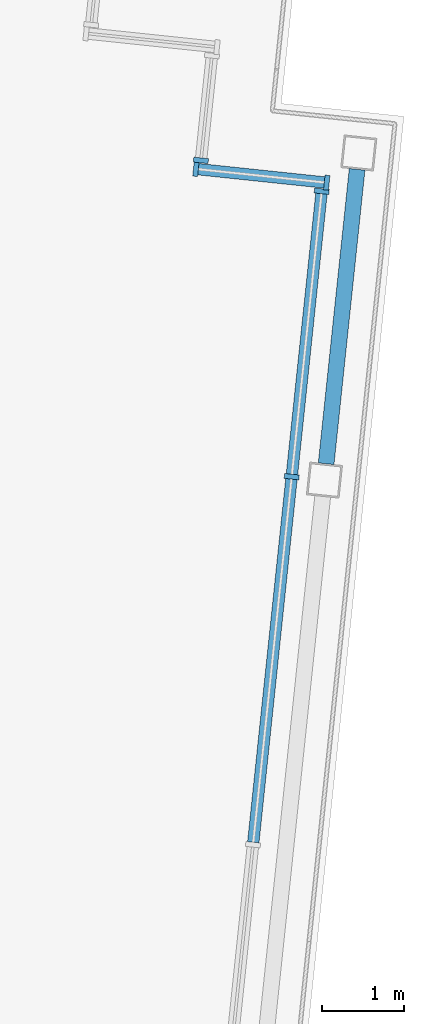
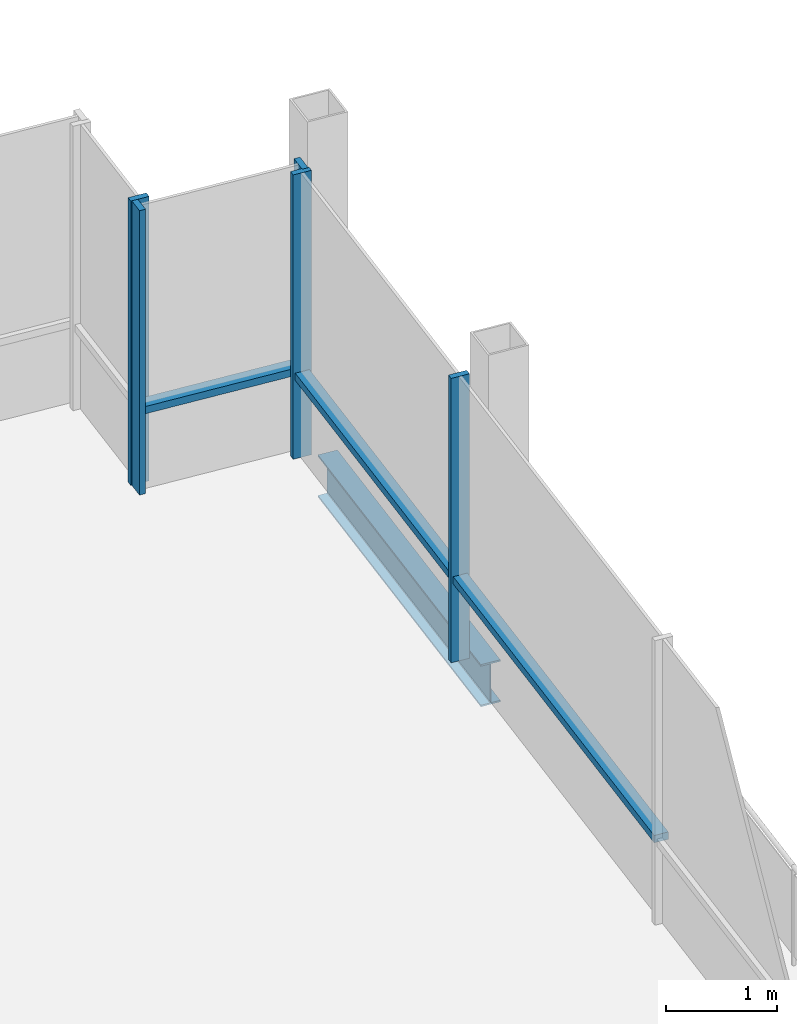
# One storey, part 6 of 15: 8 members, 1 beam, 3 elements without a shape of their own.
"""IFC4 building model written with IfcOpenShell, lengths in metres."""

import ifcopenshell
import ifcopenshell.guid

model = None  # the IFC model being written
_history = None  # IfcOwnerHistory: only IFC2X3 demands one
_inside = {}  # id of a spatial element -> (the spatial element, [elements in it])
_under = {}  # id of a project, library or spatial element -> (it, [spatial elements below it])
_declared = {}  # id of a project -> (the project, [libraries it declares])
_typed = {}  # id of a type object -> (the type object, [elements of that type])
_made_of = {}  # id of a material, layer set ... -> (it, [elements and type objects made of it])


def new_model(schema):
    """Start an empty IFC model of exactly this schema.

    Asked for "IFC4X3", IfcOpenShell would pick the latest addendum, in which some entities
    have other attributes; the version numbers below select the first issue.
    IFC2X3 requires an IfcOwnerHistory on every rooted entity: one is made here for all.
    """
    global model, _history
    if schema == "IFC4X3":
        model = ifcopenshell.file(schema_version=(4, 3, 0, 0))
    else:
        model = ifcopenshell.file(schema=schema)
    _inside.clear()
    _under.clear()
    _declared.clear()
    _typed.clear()
    _made_of.clear()
    _history = None
    if model.schema == "IFC2X3":
        org = make("IfcOrganization", Name="unknown")
        user = make(
            "IfcPersonAndOrganization",
            ThePerson=make("IfcPerson", FamilyName="unknown"),
            TheOrganization=org,
        )
        app = make(
            "IfcApplication",
            ApplicationDeveloper=org,
            Version="unknown",
            ApplicationFullName="unknown",
            ApplicationIdentifier="unknown",
        )
        _history = make(
            "IfcOwnerHistory",
            OwningUser=user,
            OwningApplication=app,
            ChangeAction="ADDED",
            CreationDate=0,
        )
    return model


def make(cls, **values):
    """One entity of the class cls with the attributes given. An attribute that is None is left unset."""
    return model.create_entity(
        cls, **{name: value for name, value in values.items() if value is not None}
    )


def rooted(cls, **values):
    """An entity with a GlobalId (a new one), such as an element, a storey or a relation."""
    return make(cls, GlobalId=ifcopenshell.guid.new(), OwnerHistory=_history, **values)


def si_unit(unit_type, name, prefix=None):
    """IfcSIUnit, for example si_unit("LENGTHUNIT", "METRE", prefix="MILLI")."""
    return make("IfcSIUnit", UnitType=unit_type, Prefix=prefix, Name=name)


def assignment(units):
    """IfcUnitAssignment: the units of a project."""
    return None if units is None else make("IfcUnitAssignment", Units=units)


def point(xyz):
    """IfcCartesianPoint."""
    return None if xyz is None else make("IfcCartesianPoint", Coordinates=xyz)


def direction(xyz):
    """IfcDirection."""
    return None if xyz is None else make("IfcDirection", DirectionRatios=xyz)


def frame(location, z_axis=None, x_axis=None):
    """IfcAxis2Placement3D, a coordinate frame: its origin and axes. An axis left out is left unset."""
    return make(
        "IfcAxis2Placement3D",
        Location=point(location),
        Axis=direction(z_axis),
        RefDirection=direction(x_axis),
    )


def frame_2d(location, x_axis=None):
    """IfcAxis2Placement2D, a coordinate frame in the plane: its origin and x axis."""
    return make(
        "IfcAxis2Placement2D", Location=point(location), RefDirection=direction(x_axis)
    )


def origin():
    """The frame at (0, 0, 0) with its axes left unset."""
    return frame((0.0, 0.0, 0.0))


def origin_2d():
    """The frame at (0, 0) in the plane with its x axis left unset."""
    return frame_2d((0.0, 0.0))


def place(relative_to, where):
    """IfcLocalPlacement: puts the frame where relative to a parent placement (None: the world)."""
    return make(
        "IfcLocalPlacement", PlacementRelTo=relative_to, RelativePlacement=where
    )


def context(
    kind, dimensions, precision=None, world=None, true_north=None, identifier=None
):
    """IfcGeometricRepresentationContext, for example the 3D "Model" context."""
    return make(
        "IfcGeometricRepresentationContext",
        ContextIdentifier=identifier,
        ContextType=kind,
        CoordinateSpaceDimension=dimensions,
        Precision=precision,
        WorldCoordinateSystem=world,
        TrueNorth=true_north,
    )


def subcontext(parent, identifier, kind, view, scale=None):
    """IfcGeometricRepresentationSubContext, for example "Body" below "Model"."""
    return make(
        "IfcGeometricRepresentationSubContext",
        ContextIdentifier=identifier,
        ContextType=kind,
        ParentContext=parent,
        TargetScale=scale,
        TargetView=view,
    )


def project(units=None, contexts=None):
    """IfcProject with its units and contexts."""
    return rooted(
        "IfcProject",
        Name="project",
        RepresentationContexts=contexts,
        UnitsInContext=assignment(units),
    )


def spatial(cls, under=None, at=None, **own):
    """A site, building, storey or space (cls), placed at a placement, below another one or the project."""
    s = rooted(cls, ObjectPlacement=at, **own)
    if under is not None:
        _under.setdefault(under.id(), (under, []))[1].append(s)
    return s


def profile(cls, at=None, kind="AREA", **sizes):
    """A parametric profile (cls). Its sizes go by their IFC names, for example OverallWidth=200.0."""
    return make(cls, ProfileType=kind, Position=at, **sizes)


def rectangle(**sizes):
    """IfcRectangleProfileDef."""
    return profile("IfcRectangleProfileDef", **sizes)


def i_section(**sizes):
    """IfcIShapeProfileDef."""
    return profile("IfcIShapeProfileDef", **sizes)


def extrude(swept, where, along, depth):
    """IfcExtrudedAreaSolid: the profile swept, set in the frame where, extruded along a direction by depth."""
    return make(
        "IfcExtrudedAreaSolid",
        SweptArea=swept,
        Position=where,
        ExtrudedDirection=direction(along),
        Depth=depth,
    )


def shape(context_of_items, identifier, shape_type, items):
    """IfcShapeRepresentation: the items that make up one representation, for example the "Body"."""
    return make(
        "IfcShapeRepresentation",
        ContextOfItems=context_of_items,
        RepresentationIdentifier=identifier,
        RepresentationType=shape_type,
        Items=items,
    )


def material(Name=None, Category=None):
    """IfcMaterial."""
    return make("IfcMaterial", Name=Name, Category=Category)


def material_profile(
    of_material, cross_section, Name=None, Category=None, Priority=None
):
    """IfcMaterialProfile: a cross section and its material."""
    return make(
        "IfcMaterialProfile",
        Name=Name,
        Material=of_material,
        Profile=cross_section,
        Priority=Priority,
        Category=Category,
    )


def profile_set(profiles, Name=None, composite=None):
    """IfcMaterialProfileSet."""
    return make(
        "IfcMaterialProfileSet",
        Name=Name,
        MaterialProfiles=profiles,
        CompositeProfile=composite,
    )


def made_of(thing, what):
    """Note that an element or type object is made of a material, layer set ...; save() writes the relation."""
    if what is not None:
        _made_of.setdefault(what.id(), (what, []))[1].append(thing)
    return thing


def type_object(cls, material=None, **own):
    """A type object (cls), such as IfcWallType, which elements share."""
    return made_of(rooted(cls, **own), material)


def element(
    cls,
    number,
    at=None,
    inside=None,
    cuts=None,
    type_object=None,
    material=None,
    context=None,
    identifier="Body",
    shape_type=None,
    held_by="IfcProductDefinitionShape",
    body=None,
    shapes=None,
    **own,
):
    """One element of the class cls, such as IfcWall. Its Tag is "e" and its number.

    at: its placement. inside: the storey or other place that contains it. cuts: it is an
    opening in that element (IfcRelVoidsElement). A single representation is given by context,
    identifier, shape_type and body (its items); several are given by shapes. held_by: the class
    of the entity that holds the representations. save() writes the other relations.
    """
    e = rooted(cls, Tag="e%d" % number, ObjectPlacement=at, **own)
    if body is not None:
        shapes = [shape(context, identifier, shape_type, body)]
    if shapes is not None:
        e.Representation = make(held_by, Representations=shapes)
    if inside is not None:
        _inside.setdefault(inside.id(), (inside, []))[1].append(e)
    if cuts is not None:
        rooted(
            "IfcRelVoidsElement", RelatingBuildingElement=cuts, RelatedOpeningElement=e
        )
    if type_object is not None:
        _typed.setdefault(type_object.id(), (type_object, []))[1].append(e)
    return made_of(e, material)


def aggregate(whole, parts):
    """IfcRelAggregates: a whole, such as a stair, and the parts it consists of."""
    return rooted("IfcRelAggregates", RelatingObject=whole, RelatedObjects=parts)


def save(model, path):
    """Write the relations noted so far, then the file.

    IfcRelAggregates (storeys below a building ...), IfcRelContainedInSpatialStructure (elements
    in a storey), IfcRelDefinesByType, IfcRelAssociatesMaterial and IfcRelDeclares: one each for
    every whole, place, type object, material and project.
    """
    for whole, parts in _under.values():
        aggregate(whole, parts)
    for where, things in _inside.values():
        rooted(
            "IfcRelContainedInSpatialStructure",
            RelatedElements=things,
            RelatingStructure=where,
        )
    for kind, things in _typed.values():
        rooted("IfcRelDefinesByType", RelatedObjects=things, RelatingType=kind)
    for what, things in _made_of.values():
        rooted("IfcRelAssociatesMaterial", RelatedObjects=things, RelatingMaterial=what)
    for by, libraries in _declared.values():
        rooted("IfcRelDeclares", RelatingContext=by, RelatedDefinitions=libraries)
    model.write(path)


model = new_model("IFC4")

# Units and contexts
model_context = context("Model", 3, precision=1e-05, world=origin(), true_north=direction((0.0, 1.0)))
body_context = subcontext(model_context, "Body", "Model", "MODEL_VIEW")
ifc_project = project(units=[si_unit("LENGTHUNIT", "METRE"), si_unit("AREAUNIT", "SQUARE_METRE"), si_unit("VOLUMEUNIT", "CUBIC_METRE"), si_unit("PLANEANGLEUNIT", "RADIAN"), si_unit("MASSUNIT", "GRAM", prefix="KILO")], contexts=[model_context])

# Site, building, storey
site_placement = place(None, origin())
site = spatial("IfcSite", under=ifc_project, at=site_placement, CompositionType="ELEMENT")
building_placement = place(site_placement, origin())
building = spatial("IfcBuilding", under=site, at=building_placement, Name="Vidyagriha Tower", CompositionType="ELEMENT")
storey_placement = place(building_placement, frame((0.0, 0.0, 294.89990234375)))
storey = spatial("IfcBuildingStorey", under=building, at=storey_placement, Name="L76", CompositionType="ELEMENT", Elevation=294.89990234375)

# Beam
ifc_material_1 = material(Name="Steel ASTM A992 Grade 50", Category="steel")
ifc_material_profile_1 = material_profile(ifc_material_1, i_section(OverallWidth=0.19189453125, OverallDepth=0.46240234375, WebThickness=0.010498046875, FlangeThickness=0.017578125, at=origin_2d()), Name="W18X60")
ifc_profile_set_1 = profile_set([ifc_material_profile_1], Name="Steel ASTM A992 Grade 50")
beam_type = type_object("IfcBeamType", Name="Edge beam W18X60", PredefinedType="SPANDREL", material=ifc_profile_set_1)
beam_placement = place(storey_placement, frame((32.429443359375, 9.623779296875, -0.510986328125), z_axis=(0.104571819597, 0.994517337479, 0.0), x_axis=(-0.994517337479, 0.104571819597, 0.0)))
element("IfcBeam", 1, at=beam_placement, inside=storey, type_object=beam_type, Name="st-beam-L76-E17", PredefinedType="SPANDREL", context=body_context, shape_type="SweptSolid", body=[
    extrude(i_section(OverallWidth=0.19189453125, OverallDepth=0.46240234375, WebThickness=0.010498046875, FlangeThickness=0.017578125, at=origin_2d()), origin(), (0.0, 0.0, 1.0), 3.60009765625),
])

# Curtain wall, members
ifc_material_2 = material(Name="Aluminium and glass curtain wall", Category="aluminium")
curtain_wall_type = type_object("IfcCurtainWallType", Name="Lantern glazing wall", PredefinedType="USERDEFINED", material=ifc_material_2)
curtain_wall_1_placement = place(storey_placement, origin())
curtain_wall_1 = element("IfcCurtainWall", 2, at=curtain_wall_1_placement, inside=storey, type_object=curtain_wall_type, Name="CW4 lantern glazing", ObjectType="STICK GLAZING", PredefinedType="USERDEFINED")
ifc_material_3 = material(Name="Aluminium black anodised", Category="aluminium")
ifc_material_profile_2 = material_profile(ifc_material_3, rectangle(XDim=0.179931640625, YDim=0.06005859375, at=origin_2d()), Name="Mullion 60x180 black aluminium")
ifc_profile_set_2 = profile_set([ifc_material_profile_2], Name="Aluminium black anodised")
member_type_1 = type_object("IfcMemberType", Name="Mullion 60x180 black aluminium", PredefinedType="MULLION", material=ifc_profile_set_2)
member_1_placement = place(storey_placement, frame((32.436767578125, 13.041748046875, 0.0), z_axis=(0.0, 0.0, 1.0), x_axis=(-0.104465258184, -0.99452853646, 0.0)))
member_1 = element("IfcMember", 3, at=member_1_placement, type_object=member_type_1, Name="CW4 mullion 1", PredefinedType="MULLION", context=body_context, shape_type="SweptSolid", body=[
    extrude(rectangle(XDim=0.179931640625, YDim=0.06005859375, at=origin_2d()), origin(), (0.0, 0.0, 1.0), 3.1201171875),
])
member_2_placement = place(storey_placement, frame((30.845703125, 13.208740234375, 0.0), z_axis=(0.0, 0.0, 1.0), x_axis=(-0.104465258184, -0.99452853646, 0.0)))
member_2 = element("IfcMember", 4, at=member_2_placement, type_object=member_type_1, Name="CW4 mullion 2", PredefinedType="MULLION", context=body_context, shape_type="SweptSolid", body=[
    extrude(rectangle(XDim=0.179931640625, YDim=0.06005859375, at=origin_2d()), origin(), (0.0, 0.0, 1.0), 3.1201171875),
])

# Curtain wall, member
curtain_wall_2_placement = place(storey_placement, origin())
curtain_wall_2 = element("IfcCurtainWall", 5, at=curtain_wall_2_placement, inside=storey, type_object=curtain_wall_type, Name="CW4 lantern glazing", ObjectType="STICK GLAZING", PredefinedType="USERDEFINED")
member_3_placement = place(storey_placement, frame((30.906982421875, 13.31298828125, 0.0), z_axis=(0.0, 0.0, 1.0), x_axis=(-0.994527511623, 0.104475014354, 0.0)))
member_3 = element("IfcMember", 6, at=member_3_placement, type_object=member_type_1, Name="CW4 mullion 1", PredefinedType="MULLION", context=body_context, shape_type="SweptSolid", body=[
    extrude(rectangle(XDim=0.179931640625, YDim=0.06005859375, at=origin_2d()), origin(), (0.0, 0.0, 1.0), 3.1201171875),
])
aggregate(curtain_wall_2, [member_3])

# Curtain wall, members
curtain_wall_3_placement = place(storey_placement, origin())
curtain_wall_3 = element("IfcCurtainWall", 7, at=curtain_wall_3_placement, inside=storey, type_object=curtain_wall_type, Name="CW4 lantern glazing", ObjectType="STICK GLAZING", PredefinedType="USERDEFINED")
member_4_placement = place(storey_placement, frame((32.0107421875, 9.466552734375, 0.0), z_axis=(0.0, 0.0, 1.0), x_axis=(-0.994522059728, 0.104526899479, 0.0)))
member_4 = element("IfcMember", 8, at=member_4_placement, type_object=member_type_1, Name="CW4 mullion 6", PredefinedType="MULLION", context=body_context, shape_type="SweptSolid", body=[
    extrude(rectangle(XDim=0.179931640625, YDim=0.06005859375, at=origin_2d()), origin(), (0.0, 0.0, 1.0), 3.1201171875),
])
member_5_placement = place(storey_placement, frame((32.37548828125, 12.9375, 0.0), z_axis=(0.0, 0.0, 1.0), x_axis=(-0.994522059728, 0.104526899479, 0.0)))
member_5 = element("IfcMember", 9, at=member_5_placement, type_object=member_type_1, Name="CW4 mullion 7", PredefinedType="MULLION", context=body_context, shape_type="SweptSolid", body=[
    extrude(rectangle(XDim=0.179931640625, YDim=0.06005859375, at=origin_2d()), origin(), (0.0, 0.0, 1.0), 3.1201171875),
])

# Member
ifc_material_4 = material(Name="Aluminium black anodised", Category="aluminium")
ifc_material_profile_3 = material_profile(ifc_material_4, rectangle(XDim=0.139892578125, YDim=0.080078125, at=origin_2d()), Name="Transom 80x140 black aluminium")
ifc_profile_set_3 = profile_set([ifc_material_profile_3], Name="Aluminium black anodised")
member_type_2 = type_object("IfcMemberType", Name="Transom 80x140 black aluminium", PredefinedType="USERDEFINED", material=ifc_profile_set_3)
member_6_placement = place(storey_placement, frame((32.406982421875, 13.044677734375, 0.900146484375), z_axis=(-0.994527149453, 0.104478461899, 0.0), x_axis=(-0.104478461899, -0.994527149453, 0.0)))
member_6 = element("IfcMember", 10, at=member_6_placement, type_object=member_type_2, Name="CW4 transom 1.1", ObjectType="TRANSOM", PredefinedType="USERDEFINED", context=body_context, shape_type="SweptSolid", body=[
    extrude(rectangle(XDim=0.139892578125, YDim=0.080078125, at=origin_2d()), origin(), (0.0, 0.0, 1.0), 1.5400390625),
])

aggregate(curtain_wall_1, [member_1, member_2, member_6])

member_7_placement = place(storey_placement, frame((31.54345703125, 5.02099609375, 0.900146484375), z_axis=(0.104527359082, 0.994522011422, 0.0), x_axis=(-0.994522011422, 0.104527359082, 0.0)))
member_7 = element("IfcMember", 11, at=member_7_placement, type_object=member_type_2, Name="CW4 transom 5.1", ObjectType="TRANSOM", PredefinedType="USERDEFINED", context=body_context, shape_type="SweptSolid", body=[
    extrude(rectangle(XDim=0.139892578125, YDim=0.080078125, at=origin_2d()), origin(), (0.0, 0.0, 1.0), 4.440185546875),
])

member_8_placement = place(storey_placement, frame((32.013916015625, 9.496337890625, 0.900146484375), z_axis=(0.104484712758, 0.994526492759, 0.0), x_axis=(-0.994526492759, 0.104484712758, 0.0)))
member_8 = element("IfcMember", 12, at=member_8_placement, type_object=member_type_2, Name="CW4 transom 6.1", ObjectType="TRANSOM", PredefinedType="USERDEFINED", context=body_context, shape_type="SweptSolid", body=[
    extrude(rectangle(XDim=0.139892578125, YDim=0.080078125, at=origin_2d()), origin(), (0.0, 0.0, 1.0), 3.43017578125),
])

aggregate(curtain_wall_3, [member_4, member_5, member_7, member_8])

save(model, "model.ifc")
